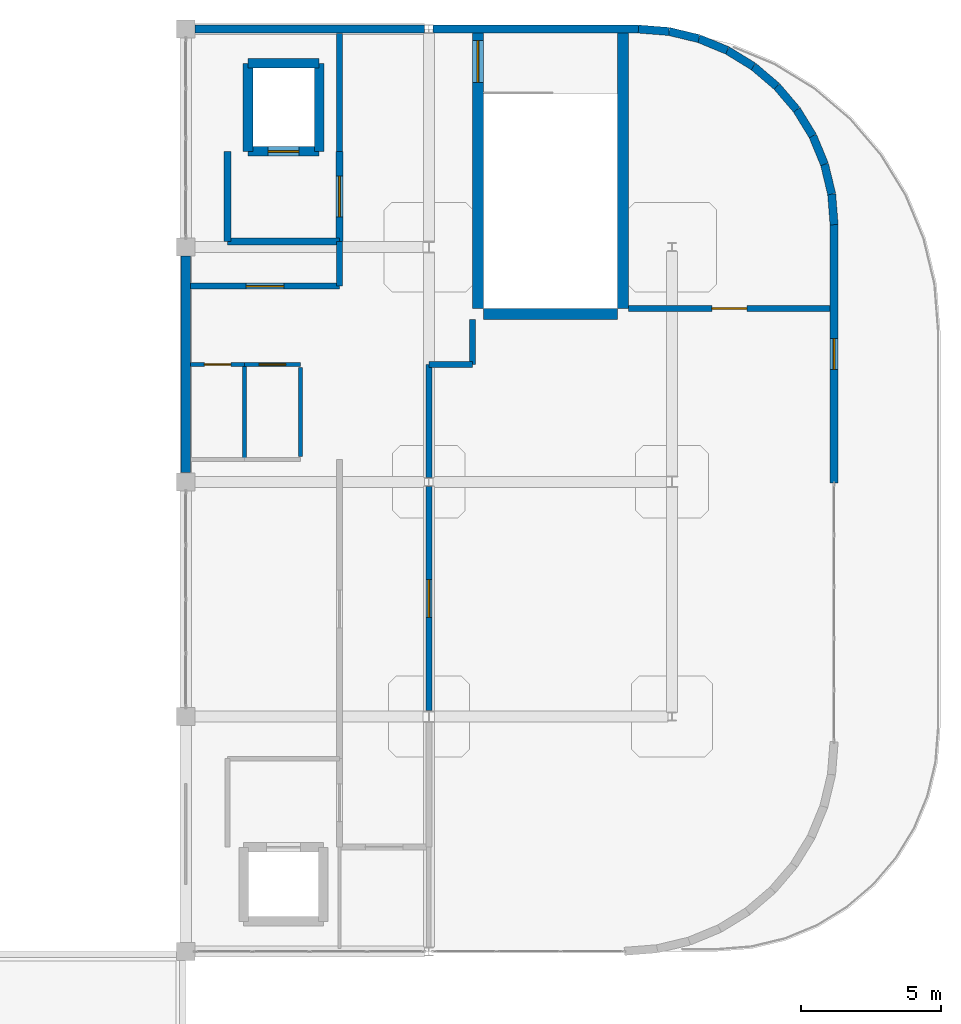
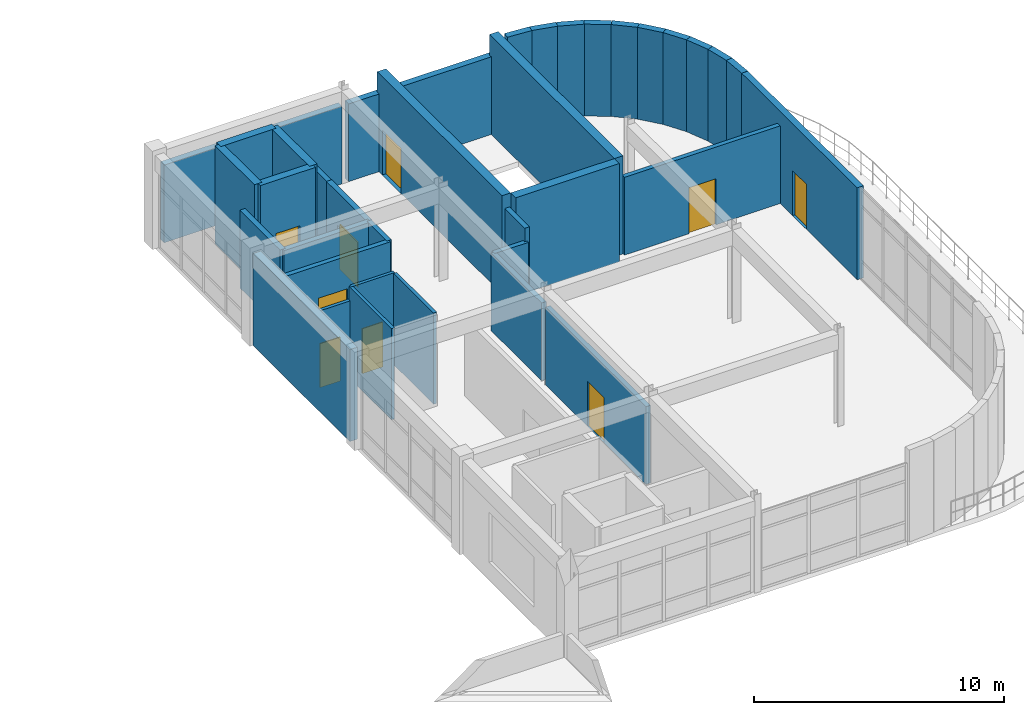
# One storey, part 39 of 41: 36 walls, 9 doors, 9 openings.
"""IFC4 building model written with IfcOpenShell, lengths in metres."""

from ifc_helpers import new_model, si_unit, derived_unit, direction, frame, frame_2d, origin, place, context, subcontext, project, spatial, rectangle, extrude, material, layer, layer_set, type_object, element, fill, save


model = new_model("IFC4")

# Units and contexts
model_context = context("Model", 3, precision=1e-05, world=origin(), true_north=direction((0.0, 1.0)))
body_context = subcontext(model_context, "Body", "Model", "MODEL_VIEW")
ifc_project = project(units=[si_unit("LENGTHUNIT", "METRE"), si_unit("AREAUNIT", "SQUARE_METRE"), si_unit("VOLUMEUNIT", "CUBIC_METRE"), si_unit("PLANEANGLEUNIT", "RADIAN"), si_unit("MASSUNIT", "GRAM", prefix="KILO"), derived_unit("THERMALTRANSMITTANCEUNIT", [(si_unit("MASSUNIT", "GRAM", prefix="KILO"), 1), (si_unit("TIMEUNIT", "SECOND"), -3), (si_unit("THERMODYNAMICTEMPERATUREUNIT", "KELVIN"), -1)])], contexts=[model_context])

# Site, building, storey
site_placement = place(None, origin())
site = spatial("IfcSite", under=ifc_project, at=site_placement, CompositionType="ELEMENT")
building_placement = place(site_placement, origin())
building = spatial("IfcBuilding", under=site, at=building_placement, Name="Qinzheling Arcade Emporium", CompositionType="ELEMENT")
storey_placement = place(building_placement, frame((0.0, 0.0, 36.300048828125)))
storey = spatial("IfcBuildingStorey", under=building, at=storey_placement, Name="L08", CompositionType="ELEMENT", Elevation=36.300048828125)

# Walls
ifc_material_1 = material(Name="Double-stud acoustic gypsum board partition")
ifc_layer_1 = layer(ifc_material_1, 0.215087890625, Name="Double-stud acoustic gypsum board partition")
ifc_layer_set_1 = layer_set([ifc_layer_1], Name="Double-stud acoustic gypsum board partition")
wall_type_1 = type_object("IfcWallType", Name="Acoustic Corridor Partition Wall 215", PredefinedType="PARTITIONING", material=ifc_layer_set_1)
wall_1_placement = place(storey_placement, frame((114.655029296875, 96.39990234375, 0.0), z_axis=(0.0, 0.0, 1.0), x_axis=(0.0, -1.0, 0.0)))
element("IfcWall", 1, at=wall_1_placement, inside=storey, type_object=wall_type_1, Name="Interior Wall WL-L08-INT-0992", PredefinedType="PARTITIONING", context=body_context, shape_type="SweptSolid", body=[
    extrude(rectangle(XDim=1.599853515625, YDim=0.215087890625, at=frame_2d((0.7998046875, 0.0))), origin(), (0.0, 0.0, 1.0), 4.4599609375),
])
wall_2_placement = place(storey_placement, frame((114.655029296875, 94.800048828125, 0.0), z_axis=(0.0, 0.0, 1.0), x_axis=(-1.0, 0.0, 0.0)))
element("IfcWall", 2, at=wall_2_placement, inside=storey, type_object=wall_type_1, Name="Interior Wall WL-L08-INT-0993", PredefinedType="PARTITIONING", context=body_context, shape_type="SweptSolid", body=[
    extrude(rectangle(XDim=1.554931640625, YDim=0.215087890625, at=frame_2d((0.77734375, 0.0))), origin(), (0.0, 0.0, 1.0), 3.800048828125),
])
wall_3_placement = place(storey_placement, frame((113.10009765625, 94.800048828125, 0.0), z_axis=(0.0, 0.0, 1.0), x_axis=(0.0, -1.0, 0.0)))
element("IfcWall", 3, at=wall_3_placement, inside=storey, type_object=wall_type_1, Name="Interior Wall WL-L08-INT-0994", PredefinedType="PARTITIONING", context=body_context, shape_type="SweptSolid", body=[
    extrude(rectangle(XDim=4.0400390625, YDim=0.215087890625, at=frame_2d((2.02001953125, 0.0))), origin(), (0.0, 0.0, 1.0), 3.800048828125),
])

# Wall, opening, door
wall_4_placement = place(storey_placement, frame((113.10009765625, 90.43994140625, 0.0), z_axis=(0.0, 0.0, 1.0), x_axis=(0.0, -1.0, 0.0)))
wall_4 = element("IfcWall", 4, at=wall_4_placement, inside=storey, type_object=wall_type_1, Name="Interior Wall WL-L08-INT-0995", PredefinedType="PARTITIONING", context=body_context, shape_type="SweptSolid", body=[
    extrude(rectangle(XDim=8.030029296875, YDim=0.215087890625, at=frame_2d((4.01513671875, 0.0))), origin(), (0.0, 0.0, 1.0), 3.800048828125),
])
opening_1_placement = place(wall_4_placement, frame((3.340087890625, 0.0, 0.0)))
opening_1 = element("IfcOpeningElement", 5, at=opening_1_placement, cuts=wall_4, Name="Opening FD05", PredefinedType="OPENING", context=body_context, shape_type="SweptSolid", body=[
    extrude(rectangle(XDim=1.35009765625, YDim=2.199951171875, at=frame_2d((0.675048828125, 1.10009765625))), frame((0.0, 0.11767578125, 0.0), z_axis=(0.0, -1.0, 0.0), x_axis=(1.0, 0.0, 0.0)), (0.0, 0.0, 1.0), 0.235107421875),
])
ifc_material_2 = material(Name="Class B fire-rated stainless-clad door")
door_type_1 = type_object("IfcDoorType", Name="Kitchen Fire-Rated Service Door 1350x2200", OperationType="NOTDEFINED", PredefinedType="DOOR", material=ifc_material_2)
door_1_placement = place(opening_1_placement, origin())
door_1 = element("IfcDoor", 6, at=door_1_placement, inside=storey, type_object=door_type_1, Name="FD05 Interior Door DR-L08-INT-0301", OperationType="SINGLE_SWING_RIGHT", OverallHeight=2.199951171875, OverallWidth=1.35009765625, PredefinedType="DOOR", context=body_context, shape_type="SweptSolid", body=[
    extrude(rectangle(XDim=1.35009765625, YDim=2.199951171875, at=frame_2d((0.675048828125, 1.10009765625))), frame((0.0, 0.02490234375, 0.0), z_axis=(0.0, -1.0, 0.0), x_axis=(1.0, 0.0, 0.0)), (0.0, 0.0, 1.0), 0.050048828125),
])
fill(opening_1, door_1)

wall_5_placement = place(storey_placement, frame((104.580078125, 97.60009765625, 0.0), z_axis=(0.0, 0.0, 1.0), x_axis=(1.0, 0.0, 0.0)))
wall_5 = element("IfcWall", 7, at=wall_5_placement, inside=storey, type_object=wall_type_1, Name="Interior Wall WL-L08-INT-0998", PredefinedType="PARTITIONING", context=body_context, shape_type="SweptSolid", body=[
    extrude(rectangle(XDim=5.31982421875, YDim=0.215087890625, at=frame_2d((2.659912109375, 0.0))), origin(), (0.0, 0.0, 1.0), 3.800048828125),
])
opening_2_placement = place(wall_5_placement, frame((1.985107421875, 0.0, 0.0)))
opening_2 = element("IfcOpeningElement", 8, at=opening_2_placement, cuts=wall_5, Name="Opening FD05", PredefinedType="OPENING", context=body_context, shape_type="SweptSolid", body=[
    extrude(rectangle(XDim=1.35009765625, YDim=2.199951171875, at=frame_2d((0.675048828125, 1.10009765625))), frame((0.0, 0.11767578125, 0.0), z_axis=(0.0, -1.0, 0.0), x_axis=(1.0, 0.0, 0.0)), (0.0, 0.0, 1.0), 0.235107421875),
])
door_2_placement = place(opening_2_placement, origin())
door_2 = element("IfcDoor", 9, at=door_2_placement, inside=storey, type_object=door_type_1, Name="FD05 Interior Door DR-L08-INT-0304", OperationType="SINGLE_SWING_LEFT", OverallHeight=2.199951171875, OverallWidth=1.35009765625, PredefinedType="DOOR", context=body_context, shape_type="SweptSolid", body=[
    extrude(rectangle(XDim=1.35009765625, YDim=2.199951171875, at=frame_2d((0.675048828125, 1.10009765625))), frame((0.0, 0.02490234375, 0.0), z_axis=(0.0, -1.0, 0.0), x_axis=(1.0, 0.0, 0.0)), (0.0, 0.0, 1.0), 0.050048828125),
])
fill(opening_2, door_2)

# Walls
wall_6_placement = place(storey_placement, frame((109.89990234375, 97.60009765625, 0.0), z_axis=(0.0, 0.0, 1.0), x_axis=(0.0, 1.0, 0.0)))
element("IfcWall", 10, at=wall_6_placement, inside=storey, type_object=wall_type_1, Name="Interior Wall WL-L08-INT-0999", PredefinedType="PARTITIONING", context=body_context, shape_type="SweptSolid", body=[
    extrude(rectangle(XDim=1.599853515625, YDim=0.215087890625, at=frame_2d((0.7998046875, 0.0))), origin(), (0.0, 0.0, 1.0), 3.800048828125),
])
wall_7_placement = place(storey_placement, frame((109.89990234375, 102.419921875, 0.0), z_axis=(0.0, 0.0, 1.0), x_axis=(0.0, 1.0, 0.0)))
element("IfcWall", 11, at=wall_7_placement, inside=storey, type_object=wall_type_1, Name="Interior Wall WL-L08-INT-1000", PredefinedType="PARTITIONING", context=body_context, shape_type="SweptSolid", body=[
    extrude(rectangle(XDim=4.22998046875, YDim=0.215087890625, at=frame_2d((2.114990234375, 0.0))), origin(), (0.0, 0.0, 1.0), 3.800048828125),
])

# Wall, opening, door
ifc_material_3 = material(Name="Fire-rated double-stud gypsum and mineral wool wall")
ifc_layer_2 = layer(ifc_material_3, 0.2451171875, Name="Fire-rated double-stud gypsum and mineral wool wall")
ifc_layer_set_2 = layer_set([ifc_layer_2], Name="Fire-rated double-stud gypsum and mineral wool wall")
wall_type_2 = type_object("IfcWallType", Name="Firefighting Lobby Rated Wall 245", PredefinedType="STANDARD", material=ifc_layer_set_2)
wall_8_placement = place(storey_placement, frame((109.89990234375, 102.419921875, 0.0), z_axis=(0.0, 0.0, 1.0), x_axis=(0.0, -1.0, 0.0)))
wall_8 = element("IfcWall", 12, at=wall_8_placement, inside=storey, type_object=wall_type_2, Name="Interior Wall WL-L08-INT-0973", PredefinedType="STANDARD", context=body_context, shape_type="SweptSolid", body=[
    extrude(rectangle(XDim=3.219970703125, YDim=0.2451171875, at=frame_2d((1.60986328125, 0.0))), origin(), (0.0, 0.0, 1.0), 3.800048828125),
])
opening_3_placement = place(wall_8_placement, frame((0.885009765625, 0.0, 0.0)))
opening_3 = element("IfcOpeningElement", 13, at=opening_3_placement, cuts=wall_8, Name="Opening FD02", PredefinedType="OPENING", context=body_context, shape_type="SweptSolid", body=[
    extrude(rectangle(XDim=1.449951171875, YDim=2.199951171875, at=frame_2d((0.72509765625, 1.10009765625))), frame((0.0, 0.132568359375, 0.0), z_axis=(0.0, -1.0, 0.0), x_axis=(1.0, 0.0, 0.0)), (0.0, 0.0, 1.0), 0.26513671875),
])
ifc_material_4 = material(Name="Class A fire-rated steel double door", Category="steel")
door_type_2 = type_object("IfcDoorType", Name="Firefighting Lobby Fire Door 1450x2200", OperationType="DOUBLE_DOOR_SINGLE_SWING", PredefinedType="DOOR", material=ifc_material_4)
door_3_placement = place(opening_3_placement, origin())
door_3 = element("IfcDoor", 14, at=door_3_placement, inside=storey, type_object=door_type_2, Name="FD02 Interior Door DR-L08-INT-0286", OperationType="DOUBLE_DOOR_SINGLE_SWING", OverallHeight=2.199951171875, OverallWidth=1.449951171875, PredefinedType="DOOR", context=body_context, shape_type="SweptSolid", body=[
    extrude(rectangle(XDim=1.449951171875, YDim=2.199951171875, at=frame_2d((0.72509765625, 1.10009765625))), frame((0.0, 0.02490234375, 0.0), z_axis=(0.0, -1.0, 0.0), x_axis=(1.0, 0.0, 0.0)), (0.0, 0.0, 1.0), 0.050048828125),
])
fill(opening_3, door_3)

# Walls
wall_9_placement = place(storey_placement, frame((109.89990234375, 99.199951171875, 0.0), z_axis=(0.0, 0.0, 1.0), x_axis=(-1.0, 0.0, 0.0)))
element("IfcWall", 15, at=wall_9_placement, inside=storey, type_object=wall_type_2, Name="Interior Wall WL-L08-INT-0974", PredefinedType="STANDARD", context=body_context, shape_type="SweptSolid", body=[
    extrude(rectangle(XDim=4.0, YDim=0.2451171875, at=frame_2d((2.0, 0.0))), origin(), (0.0, 0.0, 1.0), 3.800048828125),
])
wall_10_placement = place(storey_placement, frame((105.89990234375, 99.199951171875, 0.0), z_axis=(0.0, 0.0, 1.0), x_axis=(0.0, 1.0, 0.0)))
element("IfcWall", 16, at=wall_10_placement, inside=storey, type_object=wall_type_2, Name="Interior Wall WL-L08-INT-0975", PredefinedType="STANDARD", context=body_context, shape_type="SweptSolid", body=[
    extrude(rectangle(XDim=3.219970703125, YDim=0.2451171875, at=frame_2d((1.60986328125, 0.0))), origin(), (0.0, 0.0, 1.0), 3.800048828125),
])
ifc_material_5 = material(Name="Fluted granite ashlar on Concrete C40", Category="masonry")
ifc_layer_3 = layer(ifc_material_5, 0.35009765625, Name="Fluted granite ashlar on Concrete C40", Category="masonry")
ifc_layer_set_3 = layer_set([ifc_layer_3], Name="Fluted granite ashlar on Concrete C40")
wall_type_3 = type_object("IfcWallType", Name="Fluted Granite Logistics Wall 350", PredefinedType="STANDARD", material=ifc_layer_set_3)
wall_11_placement = place(storey_placement, frame((104.39990234375, 90.927001953125, 0.0), z_axis=(0.0, 0.0, 1.0), x_axis=(0.0, 1.0, 0.0)))
element("IfcWall", 17, at=wall_11_placement, inside=storey, type_object=wall_type_3, Name="Exterior Wall WL-L08-EW-0382", PredefinedType="STANDARD", context=body_context, shape_type="SweptSolid", body=[
    extrude(rectangle(XDim=7.74609375, YDim=0.35009765625, at=frame_2d((3.873046875, 0.0))), origin(), (0.0, 0.0, 1.0), 4.489990234375),
])

# Wall, opening, door
ifc_material_6 = material(Name="Acoustic gypsum gallery partition")
ifc_layer_4 = layer(ifc_material_6, 0.205078125, Name="Acoustic gypsum gallery partition")
ifc_layer_set_4 = layer_set([ifc_layer_4], Name="Acoustic gypsum gallery partition")
wall_type_4 = type_object("IfcWallType", Name="Gallery Display Partition Wall 205", PredefinedType="PARTITIONING", material=ifc_layer_set_4)
wall_12_placement = place(storey_placement, frame((120.25, 96.800048828125, 0.0), z_axis=(0.0, 0.0, 1.0), x_axis=(1.0, 0.0, 0.0)))
wall_12 = element("IfcWall", 18, at=wall_12_placement, inside=storey, type_object=wall_type_4, Name="Interior Wall WL-L08-INT-1016", PredefinedType="PARTITIONING", context=body_context, shape_type="SweptSolid", body=[
    extrude(rectangle(XDim=7.199951171875, YDim=0.205078125, at=frame_2d((3.60009765625, 0.0))), origin(), (0.0, 0.0, 1.0), 3.800048828125),
])
opening_4_placement = place(wall_12_placement, frame((2.97509765625, 0.0, 0.0)))
opening_4 = element("IfcOpeningElement", 19, at=opening_4_placement, cuts=wall_12, Name="Opening D09", PredefinedType="OPENING", context=body_context, shape_type="SweptSolid", body=[
    extrude(rectangle(XDim=1.25, YDim=2.25, at=frame_2d((0.625, 1.125))), frame((0.0, 0.112548828125, 0.0), z_axis=(0.0, -1.0, 0.0), x_axis=(1.0, 0.0, 0.0)), (0.0, 0.0, 1.0), 0.22509765625),
])
ifc_material_7 = material(Name="Acoustic walnut veneer door")
door_type_3 = type_object("IfcDoorType", Name="Conference Suite Door 1250x2250", OperationType="NOTDEFINED", PredefinedType="DOOR", material=ifc_material_7)
door_4_placement = place(opening_4_placement, origin())
door_4 = element("IfcDoor", 20, at=door_4_placement, inside=storey, type_object=door_type_3, Name="D09 Interior Door DR-L08-INT-0302", OperationType="SINGLE_SWING_LEFT", OverallHeight=2.25, OverallWidth=1.25, PredefinedType="DOOR", context=body_context, shape_type="SweptSolid", body=[
    extrude(rectangle(XDim=1.25, YDim=2.25, at=frame_2d((0.625, 1.125))), frame((0.0, 0.02490234375, 0.0), z_axis=(0.0, -1.0, 0.0), x_axis=(1.0, 0.0, 0.0)), (0.0, 0.0, 1.0), 0.050048828125),
])
fill(opening_4, door_4)

# Walls
ifc_material_8 = material(Name="Buff glazed terracotta insulated wall", Category="masonry")
ifc_layer_5 = layer(ifc_material_8, 0.2900390625, Name="Buff glazed terracotta insulated wall", Category="masonry")
ifc_layer_set_5 = layer_set([ifc_layer_5], Name="Buff glazed terracotta insulated wall")
wall_type_5 = type_object("IfcWallType", Name="Office Bar Terracotta Wall 290", PredefinedType="STANDARD", material=ifc_layer_set_5)
for number, where, z_axis, x_axis, name in (
    (21, (120.60009765625, 106.800048828125, 0.0), (0.0, 0.0, 1.0), (0.996934299449, -0.078243227069, 0.0), "Exterior Wall WL-L08-EW-0360"),
    (22, (121.695068359375, 106.714111328125, 0.0), (0.0, 0.0, 1.0), (0.972223637158, -0.234053838575, 0.0), "Exterior Wall WL-L08-EW-0361"),
):
    element("IfcWall", number, at=place(storey_placement, frame(where, z_axis=z_axis, x_axis=x_axis)), inside=storey, type_object=wall_type_5, Name=name, PredefinedType="STANDARD", context=body_context, shape_type="SweptSolid", body=[
        extrude(rectangle(XDim=1.098388671875, YDim=0.2900390625, at=frame_2d((0.54931640625, 0.0))), origin(), (0.0, 0.0, 1.0), 4.489990234375),
    ])
wall_13_placement = place(storey_placement, frame((122.762939453125, 106.45703125, 0.0), z_axis=(0.0, 0.0, 1.0), x_axis=(0.924060145724, -0.382247102127, 0.0)))
element("IfcWall", 23, at=wall_13_placement, inside=storey, type_object=wall_type_5, Name="Exterior Wall WL-L08-EW-0362", PredefinedType="STANDARD", context=body_context, shape_type="SweptSolid", body=[
    extrude(rectangle(XDim=1.0986328125, YDim=0.2900390625, at=frame_2d((0.54931640625, 0.0))), origin(), (0.0, 0.0, 1.0), 4.489990234375),
])
wall_14_placement = place(storey_placement, frame((123.778076171875, 106.037109375, 0.0), z_axis=(0.0, 0.0, 1.0), x_axis=(0.852390294689, -0.522906096273, 0.0)))
element("IfcWall", 24, at=wall_14_placement, inside=storey, type_object=wall_type_5, Name="Exterior Wall WL-L08-EW-0363", PredefinedType="STANDARD", context=body_context, shape_type="SweptSolid", body=[
    extrude(rectangle(XDim=1.09814453125, YDim=0.2900390625, at=frame_2d((0.549072265625, 0.0))), origin(), (0.0, 0.0, 1.0), 4.489990234375),
])
for number, where, z_axis, x_axis, name in (
    (25, (124.714111328125, 105.462890625, 0.0), (0.0, 0.0, 1.0), (0.760885582332, -0.648886069044, 0.0), "Exterior Wall WL-L08-EW-0364"),
    (26, (125.550048828125, 104.75, 0.0), (0.0, 0.0, 1.0), (0.648886069044, -0.760885582332, 0.0), "Exterior Wall WL-L08-EW-0365"),
):
    element("IfcWall", number, at=place(storey_placement, frame(where, z_axis=z_axis, x_axis=x_axis)), inside=storey, type_object=wall_type_5, Name=name, PredefinedType="STANDARD", context=body_context, shape_type="SweptSolid", body=[
        extrude(rectangle(XDim=1.0986328125, YDim=0.2900390625, at=frame_2d((0.54931640625, 0.0))), origin(), (0.0, 0.0, 1.0), 4.489990234375),
    ])
wall_15_placement = place(storey_placement, frame((126.262939453125, 103.9140625, 0.0), z_axis=(0.0, 0.0, 1.0), x_axis=(0.522744534314, -0.85248938518, 0.0)))
element("IfcWall", 27, at=wall_15_placement, inside=storey, type_object=wall_type_5, Name="Exterior Wall WL-L08-EW-0366", PredefinedType="STANDARD", context=body_context, shape_type="SweptSolid", body=[
    extrude(rectangle(XDim=1.097900390625, YDim=0.2900390625, at=frame_2d((0.548828125, 0.0))), origin(), (0.0, 0.0, 1.0), 4.489990234375),
])
wall_16_placement = place(storey_placement, frame((126.8369140625, 102.97802734375, 0.0), z_axis=(0.0, 0.0, 1.0), x_axis=(0.382436842998, -0.923981634622, 0.0)))
element("IfcWall", 28, at=wall_16_placement, inside=storey, type_object=wall_type_5, Name="Exterior Wall WL-L08-EW-0367", PredefinedType="STANDARD", context=body_context, shape_type="SweptSolid", body=[
    extrude(rectangle(XDim=1.0986328125, YDim=0.2900390625, at=frame_2d((0.54931640625, 0.0))), origin(), (0.0, 0.0, 1.0), 4.489990234375),
])
for number, where, z_axis, x_axis, name in (
    (29, (127.257080078125, 101.962890625, 0.0), (0.0, 0.0, 1.0), (0.233843725233, -0.97227419598, 0.0), "Exterior Wall WL-L08-EW-0368"),
    (30, (127.513916015625, 100.89501953125, 0.0), (0.0, 0.0, 1.0), (0.078464142385, -0.99691693654, 0.0), "Exterior Wall WL-L08-EW-0369"),
):
    element("IfcWall", number, at=place(storey_placement, frame(where, z_axis=z_axis, x_axis=x_axis)), inside=storey, type_object=wall_type_5, Name=name, PredefinedType="STANDARD", context=body_context, shape_type="SweptSolid", body=[
        extrude(rectangle(XDim=1.098388671875, YDim=0.2900390625, at=frame_2d((0.54931640625, 0.0))), origin(), (0.0, 0.0, 1.0), 4.489990234375),
    ])

# Wall, opening, door
wall_17_placement = place(storey_placement, frame((127.60009765625, 99.800048828125, 0.0), z_axis=(0.0, 0.0, 1.0), x_axis=(0.0, -1.0, 0.0)))
wall_17 = element("IfcWall", 31, at=wall_17_placement, inside=storey, type_object=wall_type_5, Name="Exterior Wall WL-L08-EW-0370", PredefinedType="STANDARD", context=body_context, shape_type="SweptSolid", body=[
    extrude(rectangle(XDim=9.248046875, YDim=0.2900390625, at=frame_2d((4.6240234375, 0.0))), origin(), (0.0, 0.0, 1.0), 4.489990234375),
])
opening_5_placement = place(wall_17_placement, frame((4.073974609375, 0.0, 0.0)))
opening_5 = element("IfcOpeningElement", 32, at=opening_5_placement, cuts=wall_17, Name="Opening TD04", PredefinedType="OPENING", context=body_context, shape_type="SweptSolid", body=[
    extrude(rectangle(XDim=1.10009765625, YDim=2.199951171875, at=frame_2d((0.550048828125, 1.10009765625))), frame((0.0, 0.155029296875, 0.0), z_axis=(0.0, -1.0, 0.0), x_axis=(1.0, 0.0, 0.0)), (0.0, 0.0, 1.0), 0.31005859375),
])
ifc_material_9 = material(Name="Thermally broken aluminium and double glass", Category="aluminium")
door_type_4 = type_object("IfcDoorType", Name="Buying Office Terrace Single Door 1100x2200", OperationType="NOTDEFINED", PredefinedType="DOOR", material=ifc_material_9)
door_5_placement = place(opening_5_placement, origin())
door_5 = element("IfcDoor", 33, at=door_5_placement, inside=storey, type_object=door_type_4, Name="TD04 Exterior Door DR-L08-EXT-043", OperationType="SINGLE_SWING_RIGHT", OverallHeight=2.199951171875, OverallWidth=1.10009765625, PredefinedType="DOOR", context=body_context, shape_type="SweptSolid", body=[
    extrude(rectangle(XDim=1.10009765625, YDim=2.199951171875, at=frame_2d((0.550048828125, 1.10009765625))), frame((0.0, 0.02490234375, 0.0), z_axis=(0.0, -1.0, 0.0), x_axis=(1.0, 0.0, 0.0)), (0.0, 0.0, 1.0), 0.050048828125),
])
fill(opening_5, door_5)

# Walls
wall_18_placement = place(storey_placement, frame((104.72705078125, 106.800048828125, 0.0), z_axis=(0.0, 0.0, 1.0), x_axis=(1.0, 0.0, 0.0)))
element("IfcWall", 34, at=wall_18_placement, inside=storey, type_object=wall_type_5, Name="Exterior Wall WL-L08-EW-0383", PredefinedType="STANDARD", context=body_context, shape_type="SweptSolid", body=[
    extrude(rectangle(XDim=8.220947265625, YDim=0.2900390625, at=frame_2d((4.1103515625, 0.0))), origin(), (0.0, 0.0, 1.0), 3.794921875),
])
wall_19_placement = place(storey_placement, frame((113.251953125, 106.800048828125, 0.0), z_axis=(0.0, 0.0, 1.0), x_axis=(1.0, 0.0, 0.0)))
element("IfcWall", 35, at=wall_19_placement, inside=storey, type_object=wall_type_5, Name="Exterior Wall WL-L08-EW-0384", PredefinedType="STANDARD", context=body_context, shape_type="SweptSolid", body=[
    extrude(rectangle(XDim=7.34814453125, YDim=0.2900390625, at=frame_2d((3.674072265625, 0.0))), origin(), (0.0, 0.0, 1.0), 3.794921875),
])
ifc_material_10 = material(Name="Concrete C40", Category="concrete")
ifc_layer_6 = layer(ifc_material_10, 0.35009765625, Name="Concrete C40", Category="concrete")
ifc_layer_set_6 = layer_set([ifc_layer_6], Name="Concrete C40")
wall_type_6 = type_object("IfcWallType", Name="RC Lift Shaft Shear Wall 350 C40", PredefinedType="SHEAR", material=ifc_layer_set_6)
wall_20_placement = place(storey_placement, frame((106.625, 105.574951171875, 0.0), z_axis=(0.0, 0.0, 1.0), x_axis=(1.0, 0.0, 0.0)))
element("IfcWall", 36, at=wall_20_placement, inside=storey, type_object=wall_type_6, Name="Lift Shaft Wall WL-L08-LFT-LF03-N", PredefinedType="SHEAR", context=body_context, shape_type="SweptSolid", body=[
    extrude(rectangle(XDim=2.550048828125, YDim=0.35009765625, at=frame_2d((1.27490234375, 0.0))), origin(), (0.0, 0.0, 1.0), 4.800048828125),
])

# Wall, opening, door
wall_21_placement = place(storey_placement, frame((109.175048828125, 102.425048828125, 0.0), z_axis=(0.0, 0.0, 1.0), x_axis=(-1.0, 0.0, 0.0)))
wall_21 = element("IfcWall", 37, at=wall_21_placement, inside=storey, type_object=wall_type_6, Name="Lift Shaft Wall WL-L08-LFT-LF03-S", PredefinedType="SHEAR", context=body_context, shape_type="SweptSolid", body=[
    extrude(rectangle(XDim=2.550048828125, YDim=0.35009765625, at=frame_2d((1.27490234375, 0.0))), origin(), (0.0, 0.0, 1.0), 4.800048828125),
])
opening_6_placement = place(wall_21_placement, frame((0.72509765625, 0.0, 0.0)))
opening_6 = element("IfcOpeningElement", 38, at=opening_6_placement, cuts=wall_21, Name="Opening LD01", PredefinedType="OPENING", context=body_context, shape_type="SweptSolid", body=[
    extrude(rectangle(XDim=1.10009765625, YDim=2.199951171875, at=frame_2d((0.550048828125, 1.10009765625))), frame((0.0, 0.18505859375, 0.0), z_axis=(0.0, -1.0, 0.0), x_axis=(1.0, 0.0, 0.0)), (0.0, 0.0, 1.0), 0.3701171875),
])
ifc_material_11 = material(Name="Fire-rated stainless steel sliding lift door", Category="steel")
door_type_5 = type_object("IfcDoorType", Name="Firefighting Lift Sliding Landing Door 1100x2200", OperationType="DOUBLE_DOOR_SLIDING", PredefinedType="DOOR", material=ifc_material_11)
door_6_placement = place(opening_6_placement, origin())
door_6 = element("IfcDoor", 39, at=door_6_placement, inside=storey, type_object=door_type_5, Name="LD01 Lift Landing Door LF03 L08", OperationType="DOUBLE_DOOR_SLIDING", OverallHeight=2.199951171875, OverallWidth=1.10009765625, PredefinedType="DOOR", context=body_context, shape_type="SweptSolid", body=[
    extrude(rectangle(XDim=1.10009765625, YDim=2.199951171875, at=frame_2d((0.550048828125, 1.10009765625))), frame((0.0, 0.02490234375, 0.0), z_axis=(0.0, -1.0, 0.0), x_axis=(1.0, 0.0, 0.0)), (0.0, 0.0, 1.0), 0.050048828125),
])
fill(opening_6, door_6)

# Walls
for number, where, z_axis, x_axis, name in (
    (40, (106.625, 102.425048828125, 0.0), (0.0, 0.0, 1.0), (0.0, 1.0, 0.0), "Lift Shaft Wall WL-L08-LFT-LF03-W"),
    (41, (109.175048828125, 105.574951171875, 0.0), (0.0, 0.0, 1.0), (0.0, -1.0, 0.0), "Lift Shaft Wall WL-L08-LFT-LF03-E"),
):
    element("IfcWall", number, at=place(storey_placement, frame(where, z_axis=z_axis, x_axis=x_axis)), inside=storey, type_object=wall_type_6, Name=name, PredefinedType="SHEAR", context=body_context, shape_type="SweptSolid", body=[
        extrude(rectangle(XDim=3.14990234375, YDim=0.35009765625, at=frame_2d((1.574951171875, 0.0))), origin(), (0.0, 0.0, 1.0), 4.800048828125),
    ])

# Wall, opening, door
ifc_material_12 = material(Name="Concrete C50", Category="concrete")
ifc_layer_7 = layer(ifc_material_12, 0.39990234375, Name="Concrete C50", Category="concrete")
ifc_layer_set_7 = layer_set([ifc_layer_7], Name="Concrete C50")
wall_type_7 = type_object("IfcWallType", Name="RC Stair Core Shear Wall 400 C50", PredefinedType="SHEAR", material=ifc_layer_set_7)
wall_22_placement = place(storey_placement, frame((114.85498046875, 96.800048828125, 0.0), z_axis=(0.0, 0.0, 1.0), x_axis=(0.0, 1.0, 0.0)))
wall_22 = element("IfcWall", 42, at=wall_22_placement, inside=storey, type_object=wall_type_7, Name="Stair Core Wall WL-L08-ST08-WEST", PredefinedType="SHEAR", context=body_context, shape_type="SweptSolid", body=[
    extrude(rectangle(XDim=10.0, YDim=0.39990234375, at=frame_2d((5.0, 0.0))), origin(), (0.0, 0.0, 1.0), 4.800048828125),
])
opening_7_placement = place(wall_22_placement, frame((8.090087890625, 0.0, 0.0)))
opening_7 = element("IfcOpeningElement", 43, at=opening_7_placement, cuts=wall_22, Name="Opening FD01", PredefinedType="OPENING", context=body_context, shape_type="SweptSolid", body=[
    extrude(rectangle(XDim=1.5, YDim=2.199951171875, at=frame_2d((0.75, 1.10009765625))), frame((0.0, 0.2099609375, 0.0), z_axis=(0.0, -1.0, 0.0), x_axis=(1.0, 0.0, 0.0)), (0.0, 0.0, 1.0), 0.419921875),
])
door_type_6 = type_object("IfcDoorType", Name="Stairwell Smoke-Proof Fire Door 1500x2200", OperationType="DOUBLE_DOOR_SINGLE_SWING", PredefinedType="DOOR", material=ifc_material_4)
door_7_placement = place(opening_7_placement, origin())
door_7 = element("IfcDoor", 44, at=door_7_placement, inside=storey, type_object=door_type_6, Name="FD01 Stairwell Fire Door DR-L08-ST08-FD", OperationType="DOUBLE_DOOR_SINGLE_SWING", OverallHeight=2.199951171875, OverallWidth=1.5, PredefinedType="DOOR", context=body_context, shape_type="SweptSolid", body=[
    extrude(rectangle(XDim=1.5, YDim=2.199951171875, at=frame_2d((0.75, 1.10009765625))), frame((0.0, 0.02490234375, 0.0), z_axis=(0.0, -1.0, 0.0), x_axis=(1.0, 0.0, 0.0)), (0.0, 0.0, 1.0), 0.050048828125),
])
fill(opening_7, door_7)

# Walls
wall_23_placement = place(storey_placement, frame((120.044921875, 106.800048828125, 0.0), z_axis=(0.0, 0.0, 1.0), x_axis=(0.0, -1.0, 0.0)))
element("IfcWall", 45, at=wall_23_placement, inside=storey, type_object=wall_type_7, Name="Stair Core Wall WL-L08-ST08-EAST", PredefinedType="SHEAR", context=body_context, shape_type="SweptSolid", body=[
    extrude(rectangle(XDim=10.0, YDim=0.39990234375, at=frame_2d((5.0, 0.0))), origin(), (0.0, 0.0, 1.0), 4.800048828125),
])
wall_24_placement = place(storey_placement, frame((119.844970703125, 96.60009765625, 0.0), z_axis=(0.0, 0.0, 1.0), x_axis=(-1.0, 0.0, 0.0)))
element("IfcWall", 46, at=wall_24_placement, inside=storey, type_object=wall_type_7, Name="Stair Core Wall WL-L08-ST08-SOUTH", PredefinedType="SHEAR", context=body_context, shape_type="SweptSolid", body=[
    extrude(rectangle(XDim=4.7900390625, YDim=0.39990234375, at=frame_2d((2.39501953125, 0.0))), origin(), (0.0, 0.0, 1.0), 4.800048828125),
])
ifc_material_13 = material(Name="Moisture-resistant cement-board WC partition")
ifc_layer_8 = layer(ifc_material_13, 0.14501953125, Name="Moisture-resistant cement-board WC partition")
ifc_layer_set_8 = layer_set([ifc_layer_8], Name="Moisture-resistant cement-board WC partition")
wall_type_8 = type_object("IfcWallType", Name="Washroom Moisture Partition Wall 145", PredefinedType="PARTITIONING", material=ifc_layer_set_8)
wall_25_placement = place(storey_placement, frame((106.5, 94.800048828125, 0.0), z_axis=(0.0, 0.0, 1.0), x_axis=(0.0, -1.0, 0.0)))
element("IfcWall", 47, at=wall_25_placement, inside=storey, type_object=wall_type_8, Name="Interior Wall WL-L08-INT-0986", PredefinedType="PARTITIONING", context=body_context, shape_type="SweptSolid", body=[
    extrude(rectangle(XDim=3.400146484375, YDim=0.14501953125, at=frame_2d((1.7001953125, 0.0))), origin(), (0.0, 0.0, 1.0), 4.4599609375),
])

# Wall, opening, door
wall_26_placement = place(storey_placement, frame((104.580078125, 94.800048828125, 0.0), z_axis=(0.0, 0.0, 1.0), x_axis=(1.0, 0.0, 0.0)))
wall_26 = element("IfcWall", 48, at=wall_26_placement, inside=storey, type_object=wall_type_8, Name="Interior Wall WL-L08-INT-0987", PredefinedType="PARTITIONING", context=body_context, shape_type="SweptSolid", body=[
    extrude(rectangle(XDim=1.919921875, YDim=0.14501953125, at=frame_2d((0.9599609375, 0.0))), origin(), (0.0, 0.0, 1.0), 3.800048828125),
])
opening_8_placement = place(wall_26_placement, frame((0.485107421875, 0.0, 0.0)))
opening_8 = element("IfcOpeningElement", 49, at=opening_8_placement, cuts=wall_26, Name="Opening D12", PredefinedType="OPENING", context=body_context, shape_type="SweptSolid", body=[
    extrude(rectangle(XDim=0.949951171875, YDim=2.14990234375, at=frame_2d((0.47509765625, 1.074951171875))), frame((0.0, 0.08251953125, 0.0), z_axis=(0.0, -1.0, 0.0), x_axis=(1.0, 0.0, 0.0)), (0.0, 0.0, 1.0), 0.1650390625),
])
ifc_material_14 = material(Name="Antimicrobial high-pressure laminate door")
door_type_7 = type_object("IfcDoorType", Name="Public Male Washroom Door 950x2150", OperationType="NOTDEFINED", PredefinedType="DOOR", material=ifc_material_14)
door_8_placement = place(opening_8_placement, origin())
door_8 = element("IfcDoor", 50, at=door_8_placement, inside=storey, type_object=door_type_7, Name="D12 Interior Door DR-L08-INT-0292", OperationType="SINGLE_SWING_RIGHT", OverallHeight=2.14990234375, OverallWidth=0.949951171875, PredefinedType="DOOR", context=body_context, shape_type="SweptSolid", body=[
    extrude(rectangle(XDim=0.949951171875, YDim=2.14990234375, at=frame_2d((0.47509765625, 1.074951171875))), frame((0.0, 0.02490234375, 0.0), z_axis=(0.0, -1.0, 0.0), x_axis=(1.0, 0.0, 0.0)), (0.0, 0.0, 1.0), 0.050048828125),
])
fill(opening_8, door_8)

wall_27_placement = place(storey_placement, frame((106.5, 94.800048828125, 0.0), z_axis=(0.0, 0.0, 1.0), x_axis=(1.0, 0.0, 0.0)))
wall_27 = element("IfcWall", 51, at=wall_27_placement, inside=storey, type_object=wall_type_8, Name="Interior Wall WL-L08-INT-0989", PredefinedType="PARTITIONING", context=body_context, shape_type="SweptSolid", body=[
    extrude(rectangle(XDim=2.0, YDim=0.14501953125, at=frame_2d((1.0, 0.0))), origin(), (0.0, 0.0, 1.0), 4.4599609375),
])
opening_9_placement = place(wall_27_placement, frame((0.52490234375, 0.0, 0.0)))
opening_9 = element("IfcOpeningElement", 52, at=opening_9_placement, cuts=wall_27, Name="Opening D13", PredefinedType="OPENING", context=body_context, shape_type="SweptSolid", body=[
    extrude(rectangle(XDim=0.949951171875, YDim=2.199951171875, at=frame_2d((0.47509765625, 1.10009765625))), frame((0.0, 0.08251953125, 0.0), z_axis=(0.0, -1.0, 0.0), x_axis=(1.0, 0.0, 0.0)), (0.0, 0.0, 1.0), 0.1650390625),
])
door_type_8 = type_object("IfcDoorType", Name="Public Female Washroom Door 950x2200", OperationType="NOTDEFINED", PredefinedType="DOOR", material=ifc_material_14)
door_9_placement = place(opening_9_placement, origin())
door_9 = element("IfcDoor", 53, at=door_9_placement, inside=storey, type_object=door_type_8, Name="D13 Interior Door DR-L08-INT-0293", OperationType="SINGLE_SWING_LEFT", OverallHeight=2.199951171875, OverallWidth=0.949951171875, PredefinedType="DOOR", context=body_context, shape_type="SweptSolid", body=[
    extrude(rectangle(XDim=0.949951171875, YDim=2.199951171875, at=frame_2d((0.47509765625, 1.10009765625))), frame((0.0, 0.02490234375, 0.0), z_axis=(0.0, -1.0, 0.0), x_axis=(1.0, 0.0, 0.0)), (0.0, 0.0, 1.0), 0.050048828125),
])
fill(opening_9, door_9)

# Wall
wall_28_placement = place(storey_placement, frame((108.5, 94.697021484375, 0.0), z_axis=(0.0, 0.0, 1.0), x_axis=(0.0, -1.0, 0.0)))
element("IfcWall", 54, at=wall_28_placement, inside=storey, type_object=wall_type_8, Name="Interior Wall WL-L08-INT-1022", PredefinedType="PARTITIONING", context=body_context, shape_type="SweptSolid", body=[
    extrude(rectangle(XDim=3.194091796875, YDim=0.14501953125, at=frame_2d((1.59716796875, 0.0))), origin(), (0.0, 0.0, 1.0), 4.4599609375),
])

save(model, "model.ifc")
